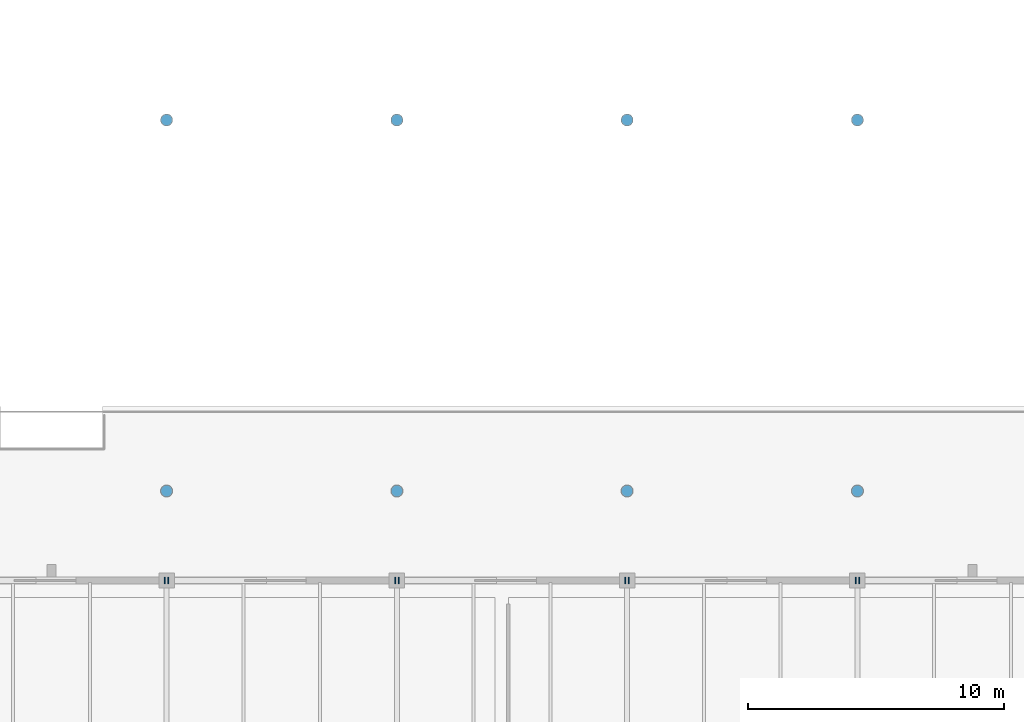
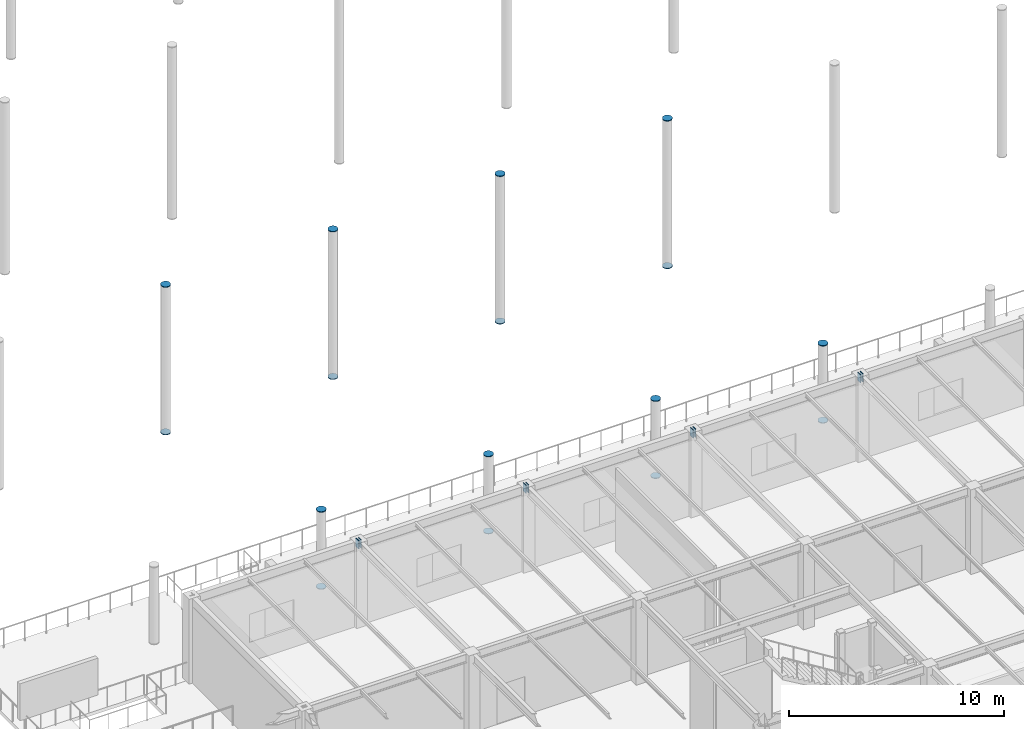
# One storey, part 108 of 143: 24 discrete accessories.
"""IFC4 building model written with IfcOpenShell, lengths in metres."""

from ifc_helpers import new_model, si_unit, direction, frame, origin, origin_2d, place, context, subcontext, project, spatial, rectangle, circle, extrude, material, element, save


model = new_model("IFC4")

# Units and contexts
model_context = context("Model", 3, precision=1e-05, world=origin(), true_north=direction((0.0, 1.0)))
body_context = subcontext(model_context, "Body", "Model", "MODEL_VIEW")
ifc_project = project(units=[si_unit("LENGTHUNIT", "METRE"), si_unit("AREAUNIT", "SQUARE_METRE"), si_unit("VOLUMEUNIT", "CUBIC_METRE"), si_unit("PLANEANGLEUNIT", "RADIAN"), si_unit("MASSUNIT", "GRAM", prefix="KILO")], contexts=[model_context])

# Site, building, storey
site_placement = place(None, origin())
site = spatial("IfcSite", under=ifc_project, at=site_placement, CompositionType="ELEMENT")
building_placement = place(site_placement, origin())
building = spatial("IfcBuilding", under=site, at=building_placement, Name="Marlcrest Central Station", CompositionType="ELEMENT")
storey_placement = place(building_placement, frame((0.0, 0.0, 4.800048828125)))
storey = spatial("IfcBuildingStorey", under=building, at=storey_placement, Name="L01", CompositionType="ELEMENT", Elevation=4.800048828125)

# Discrete accessories
ifc_material = material(Name="Steel S355", Category="steel")
for number, where, z_axis, x_axis, name in (
    (1, (161.9150390625, 33.0, 4.58984375), (1.0, 0.0, 0.0), (0.0, 1.0, 0.0), "endcap-bm-SP-02-L01-00880-e"),
    (2, (162.045166015625, 33.0, 4.58984375), (1.0, 0.0, 0.0), (0.0, 1.0, 0.0), "endcap-bm-SP-02-L01-00881-s"),
    (3, (170.9150390625, 33.0, 4.58984375), (1.0, 0.0, 0.0), (0.0, 1.0, 0.0), "endcap-bm-SP-02-L01-00881-e"),
    (4, (171.045166015625, 33.0, 4.58984375), (1.0, 0.0, 0.0), (0.0, 1.0, 0.0), "endcap-bm-SP-02-L01-00882-s"),
    (5, (179.9150390625, 33.0, 4.58984375), (1.0, 0.0, 0.0), (0.0, 1.0, 0.0), "endcap-bm-SP-02-L01-00882-e"),
    (6, (180.045166015625, 33.0, 4.58984375), (1.0, 0.0, 0.0), (0.0, 1.0, 0.0), "endcap-bm-SP-02-L01-00883-s"),
    (7, (188.9150390625, 33.0, 4.58984375), (1.0, 0.0, 0.0), (0.0, 1.0, 0.0), "endcap-bm-SP-02-L01-00883-e"),
    (8, (189.045166015625, 33.0, 4.58984375), (1.0, 0.0, 0.0), (0.0, 1.0, 0.0), "endcap-bm-SP-02-L01-00884-s"),
):
    element("IfcDiscreteAccessory", number, at=place(storey_placement, frame(where, z_axis=z_axis, x_axis=x_axis)), inside=storey, material=ifc_material, Name=name, ObjectType="END_CAP_PLATE", PredefinedType="BRACKET", context=body_context, shape_type="SweptSolid", body=[
        extrude(rectangle(XDim=0.26611328125, YDim=0.466064453125, at=origin_2d()), origin(), (0.0, 0.0, 1.0), 0.0400390625),
    ])
for number, where, z_axis, x_axis, name in (
    (9, (162.0, 36.5, -0.014892578125), (0.0, 0.0, 1.0), (1.0, 0.0, 0.0), "endcap-col-SC-11-L01-0535-s"),
    (10, (162.0, 36.5, 4.375), (0.0, 0.0, 1.0), (1.0, 0.0, 0.0), "endcap-col-SC-11-L01-0535-e"),
    (11, (162.0, 51.0, -0.014892578125), (0.0, 0.0, 1.0), (1.0, 0.0, 0.0), "endcap-col-SC-11-L01-0537-s"),
    (12, (162.0, 51.0, 8.37890625), (0.0, 0.0, 1.0), (1.0, 0.0, 0.0), "endcap-col-SC-11-L01-0537-e"),
    (13, (171.0, 36.5, -0.014892578125), (0.0, 0.0, 1.0), (1.0, 0.0, 0.0), "endcap-col-SC-11-L01-0546-s"),
    (14, (171.0, 36.5, 4.375), (0.0, 0.0, 1.0), (1.0, 0.0, 0.0), "endcap-col-SC-11-L01-0546-e"),
    (15, (171.0, 51.0, -0.014892578125), (0.0, 0.0, 1.0), (1.0, 0.0, 0.0), "endcap-col-SC-11-L01-0548-s"),
    (16, (171.0, 51.0, 8.37890625), (0.0, 0.0, 1.0), (1.0, 0.0, 0.0), "endcap-col-SC-11-L01-0548-e"),
    (17, (180.0, 36.5, -0.014892578125), (0.0, 0.0, 1.0), (1.0, 0.0, 0.0), "endcap-col-SC-11-L01-0557-s"),
    (18, (180.0, 36.5, 4.375), (0.0, 0.0, 1.0), (1.0, 0.0, 0.0), "endcap-col-SC-11-L01-0557-e"),
    (19, (180.0, 51.0, -0.014892578125), (0.0, 0.0, 1.0), (1.0, 0.0, 0.0), "endcap-col-SC-11-L01-0559-s"),
    (20, (180.0, 51.0, 8.37890625), (0.0, 0.0, 1.0), (1.0, 0.0, 0.0), "endcap-col-SC-11-L01-0559-e"),
    (21, (189.0, 36.5, -0.014892578125), (0.0, 0.0, 1.0), (1.0, 0.0, 0.0), "endcap-col-SC-11-L01-0568-s"),
    (22, (189.0, 36.5, 4.375), (0.0, 0.0, 1.0), (1.0, 0.0, 0.0), "endcap-col-SC-11-L01-0568-e"),
    (23, (189.0, 51.0, -0.014892578125), (0.0, 0.0, 1.0), (1.0, 0.0, 0.0), "endcap-col-SC-11-L01-0570-s"),
    (24, (189.0, 51.0, 8.37890625), (0.0, 0.0, 1.0), (1.0, 0.0, 0.0), "endcap-col-SC-11-L01-0570-e"),
):
    element("IfcDiscreteAccessory", number, at=place(storey_placement, frame(where, z_axis=z_axis, x_axis=x_axis)), inside=storey, material=ifc_material, Name=name, ObjectType="END_CAP_PLATE", PredefinedType="BRACKET", context=body_context, shape_type="SweptSolid", body=[
        extrude(circle(Radius=0.236572265625, at=origin_2d()), origin(), (0.0, 0.0, 1.0), 0.0400390625),
    ])

save(model, "model.ifc")
